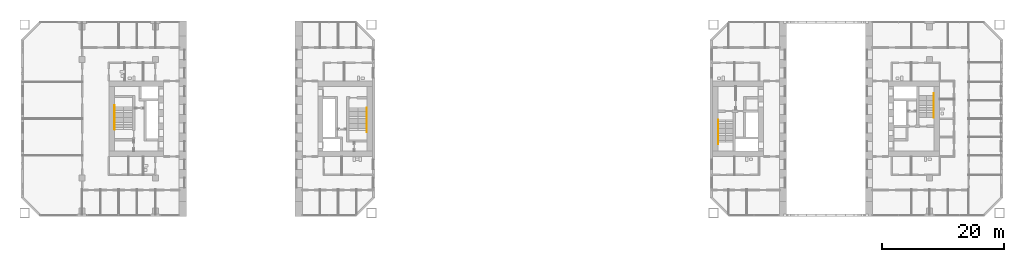
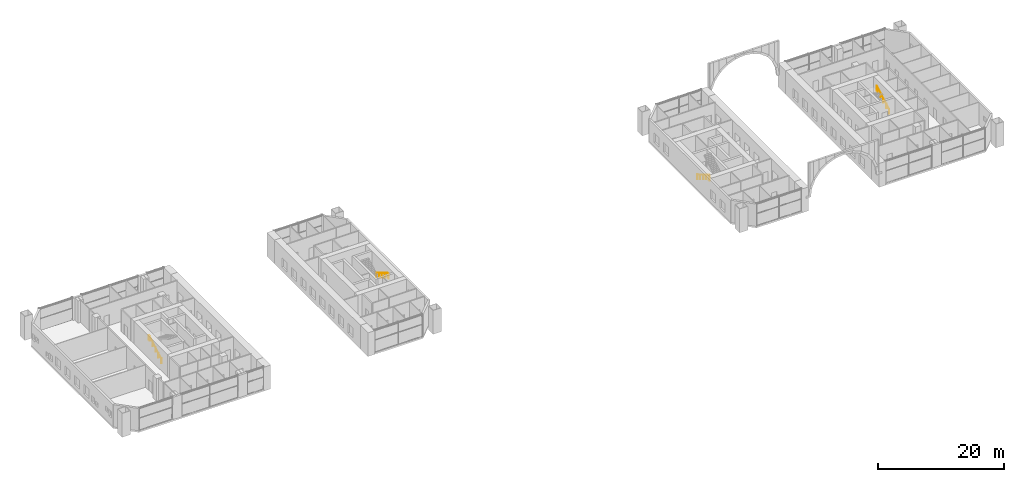
# One storey, part 20 of 21: 4 railings.
"""IFC4 building model written with IfcOpenShell, lengths in metres."""

from ifc_helpers import new_model, si_unit, direction, frame, origin, origin_2d, place, context, subcontext, project, spatial, circle, extrude, material, type_object, element, save


model = new_model("IFC4")

# Units and contexts
model_context = context("Model", 3, precision=1e-05, world=origin(), true_north=direction((0.0, 1.0)))
body_context = subcontext(model_context, "Body", "Model", "MODEL_VIEW")
ifc_project = project(units=[si_unit("LENGTHUNIT", "METRE"), si_unit("AREAUNIT", "SQUARE_METRE"), si_unit("VOLUMEUNIT", "CUBIC_METRE"), si_unit("PLANEANGLEUNIT", "RADIAN"), si_unit("MASSUNIT", "GRAM", prefix="KILO")], contexts=[model_context])

# Site, building, storey
site_placement = place(None, origin())
site = spatial("IfcSite", under=ifc_project, at=site_placement, CompositionType="ELEMENT")
building_placement = place(site_placement, origin())
building = spatial("IfcBuilding", under=site, at=building_placement, Name="Tuart Gate Housing", CompositionType="ELEMENT")
storey_placement = place(building_placement, frame((0.0, 0.0, 5.5)))
storey = spatial("IfcBuildingStorey", under=building, at=storey_placement, Name="L01", CompositionType="ELEMENT", Elevation=5.5)

# Railings
ifc_material = material(Name="Stainless steel", Category="steel")
railing_type = type_object("IfcRailingType", Name="Stair handrail 900", PredefinedType="HANDRAIL", material=ifc_material)
railing_1_placement = place(storey_placement, frame((74.679931640625, 71.75, 0.164306640625)))
element("IfcRailing", 1, at=railing_1_placement, inside=storey, type_object=railing_type, Name="Stair handrail SA1.1", PredefinedType="HANDRAIL", context=body_context, shape_type="SweptSolid", body=[
    extrude(circle(Radius=0.02392578125, at=origin_2d()), frame((0.0, 0.0, 0.8759765625), z_axis=(0.0, -0.862489892076, 0.506074289079), x_axis=(1.0, 0.0, 0.0)), (0.0, 0.0, 1.0), 4.22021484375),
    extrude(circle(Radius=0.02392578125, at=origin_2d()), frame((0.0, -3.639892578125, 3.01171875), z_axis=(0.0, -1.0, 0.0), x_axis=(1.0, 0.0, 0.0)), (0.0, 0.0, 1.0), 0.300048828125),
    extrude(circle(Radius=0.02099609375, at=origin_2d()), origin(), (0.0, 0.0, 1.0), 0.851806640625),
    extrude(circle(Radius=0.02099609375, at=origin_2d()), frame((0.0, -0.909912109375, 0.533935546875)), (0.0, 0.0, 1.0), 0.851806640625),
    extrude(circle(Radius=0.02099609375, at=origin_2d()), frame((0.0, -1.81982421875, 1.06787109375)), (0.0, 0.0, 1.0), 0.851806640625),
    extrude(circle(Radius=0.02099609375, at=origin_2d()), frame((0.0, -2.72998046875, 1.601806640625)), (0.0, 0.0, 1.0), 0.851806640625),
    extrude(circle(Radius=0.02099609375, at=origin_2d()), frame((0.0, -3.639892578125, 2.1357421875)), (0.0, 0.0, 1.0), 0.851806640625),
    extrude(circle(Radius=0.02099609375, at=origin_2d()), frame((0.0, -3.93994140625, 2.1357421875)), (0.0, 0.0, 1.0), 0.851806640625),
])
railing_2_placement = place(storey_placement, frame((33.320068359375, 68.25, 0.164306640625)))
element("IfcRailing", 2, at=railing_2_placement, inside=storey, type_object=railing_type, Name="Stair handrail SA2.1", PredefinedType="HANDRAIL", context=body_context, shape_type="SweptSolid", body=[
    extrude(circle(Radius=0.02392578125, at=origin_2d()), frame((0.0, 0.0, 0.8759765625), z_axis=(0.0, 0.862489892076, 0.506074289079), x_axis=(-1.0, 0.0, 0.0)), (0.0, 0.0, 1.0), 4.22021484375),
    extrude(circle(Radius=0.02392578125, at=origin_2d()), frame((0.0, 3.639892578125, 3.01171875), z_axis=(0.0, 1.0, 0.0), x_axis=(-1.0, 0.0, 0.0)), (0.0, 0.0, 1.0), 0.300048828125),
    extrude(circle(Radius=0.02099609375, at=origin_2d()), origin(), (0.0, 0.0, 1.0), 0.851806640625),
    extrude(circle(Radius=0.02099609375, at=origin_2d()), frame((0.0, 0.909912109375, 0.533935546875)), (0.0, 0.0, 1.0), 0.851806640625),
    extrude(circle(Radius=0.02099609375, at=origin_2d()), frame((0.0, 1.81982421875, 1.06787109375)), (0.0, 0.0, 1.0), 0.851806640625),
    extrude(circle(Radius=0.02099609375, at=origin_2d()), frame((0.0, 2.72998046875, 1.601806640625)), (0.0, 0.0, 1.0), 0.851806640625),
    extrude(circle(Radius=0.02099609375, at=origin_2d()), frame((0.0, 3.639892578125, 2.1357421875)), (0.0, 0.0, 1.0), 0.851806640625),
    extrude(circle(Radius=0.02099609375, at=origin_2d()), frame((0.0, 3.93994140625, 2.1357421875)), (0.0, 0.0, 1.0), 0.851806640625),
])
railing_3_placement = place(storey_placement, frame((132.320068359375, 69.800048828125, 0.164306640625)))
element("IfcRailing", 3, at=railing_3_placement, inside=storey, type_object=railing_type, Name="Stair handrail SB1.1", PredefinedType="HANDRAIL", context=body_context, shape_type="SweptSolid", body=[
    extrude(circle(Radius=0.02392578125, at=origin_2d()), frame((0.0, 0.0, 0.8759765625), z_axis=(0.0, -0.862504707072, 0.506049039401), x_axis=(1.0, 0.0, 0.0)), (0.0, 0.0, 1.0), 4.220458984375),
    extrude(circle(Radius=0.02392578125, at=origin_2d()), frame((0.0, -3.64013671875, 3.01171875), z_axis=(0.0, -1.0, 0.0), x_axis=(1.0, 0.0, 0.0)), (0.0, 0.0, 1.0), 0.2998046875),
    extrude(circle(Radius=0.02099609375, at=origin_2d()), origin(), (0.0, 0.0, 1.0), 0.851806640625),
    extrude(circle(Radius=0.02099609375, at=origin_2d()), frame((0.0, -0.91015625, 0.533935546875)), (0.0, 0.0, 1.0), 0.851806640625),
    extrude(circle(Radius=0.02099609375, at=origin_2d()), frame((0.0, -1.820068359375, 1.06787109375)), (0.0, 0.0, 1.0), 0.851806640625),
    extrude(circle(Radius=0.02099609375, at=origin_2d()), frame((0.0, -2.72998046875, 1.601806640625)), (0.0, 0.0, 1.0), 0.851806640625),
    extrude(circle(Radius=0.02099609375, at=origin_2d()), frame((0.0, -3.64013671875, 2.1357421875)), (0.0, 0.0, 1.0), 0.851806640625),
    extrude(circle(Radius=0.02099609375, at=origin_2d()), frame((0.0, -3.93994140625, 2.1357421875)), (0.0, 0.0, 1.0), 0.851806640625),
])
railing_4_placement = place(storey_placement, frame((167.679931640625, 70.199951171875, 0.164306640625)))
element("IfcRailing", 4, at=railing_4_placement, inside=storey, type_object=railing_type, Name="Stair handrail SB2.1", PredefinedType="HANDRAIL", context=body_context, shape_type="SweptSolid", body=[
    extrude(circle(Radius=0.02392578125, at=origin_2d()), frame((0.0, 0.0, 0.8759765625), z_axis=(0.0, 0.862504707072, 0.506049039401), x_axis=(-1.0, 0.0, 0.0)), (0.0, 0.0, 1.0), 4.220458984375),
    extrude(circle(Radius=0.02392578125, at=origin_2d()), frame((0.0, 3.64013671875, 3.01171875), z_axis=(0.0, 1.0, 0.0), x_axis=(-1.0, 0.0, 0.0)), (0.0, 0.0, 1.0), 0.2998046875),
    extrude(circle(Radius=0.02099609375, at=origin_2d()), origin(), (0.0, 0.0, 1.0), 0.851806640625),
    extrude(circle(Radius=0.02099609375, at=origin_2d()), frame((0.0, 0.91015625, 0.533935546875)), (0.0, 0.0, 1.0), 0.851806640625),
    extrude(circle(Radius=0.02099609375, at=origin_2d()), frame((0.0, 1.820068359375, 1.06787109375)), (0.0, 0.0, 1.0), 0.851806640625),
    extrude(circle(Radius=0.02099609375, at=origin_2d()), frame((0.0, 2.72998046875, 1.601806640625)), (0.0, 0.0, 1.0), 0.851806640625),
    extrude(circle(Radius=0.02099609375, at=origin_2d()), frame((0.0, 3.64013671875, 2.1357421875)), (0.0, 0.0, 1.0), 0.851806640625),
    extrude(circle(Radius=0.02099609375, at=origin_2d()), frame((0.0, 3.93994140625, 2.1357421875)), (0.0, 0.0, 1.0), 0.851806640625),
])

save(model, "model.ifc")
